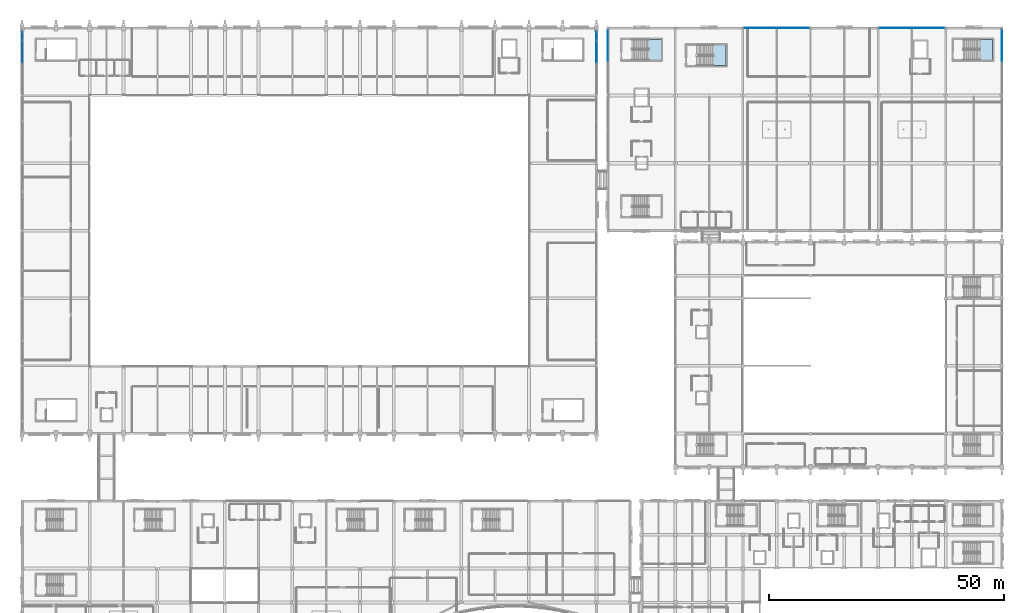
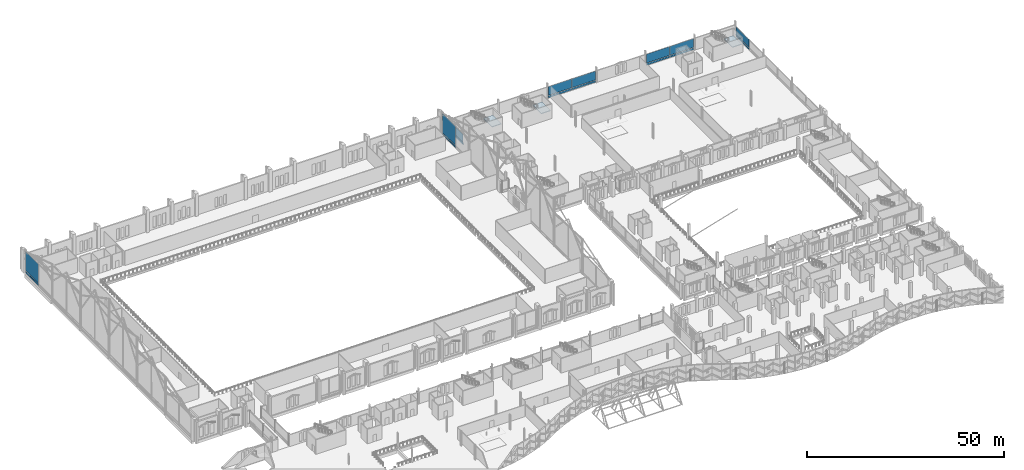
# One storey, part 134 of 220: 16 plates, 3 slabs, 9 elements without a shape of their own.
"""IFC4 building model written with IfcOpenShell, lengths in metres."""

from ifc_helpers import new_model, si_unit, direction, frame, origin, origin_2d, place, context, subcontext, project, spatial, polyline, rectangle, outline, extrude, material, layer, layer_set, type_object, element, aggregate, save


model = new_model("IFC4")

# Units and contexts
model_context = context("Model", 3, precision=1e-05, world=origin(), true_north=direction((0.0, 1.0)))
body_context = subcontext(model_context, "Body", "Model", "MODEL_VIEW")
ifc_project = project(units=[si_unit("LENGTHUNIT", "METRE"), si_unit("AREAUNIT", "SQUARE_METRE"), si_unit("VOLUMEUNIT", "CUBIC_METRE"), si_unit("PLANEANGLEUNIT", "RADIAN"), si_unit("MASSUNIT", "GRAM", prefix="KILO")], contexts=[model_context])

# Site, building, storey
site_placement = place(None, origin())
site = spatial("IfcSite", under=ifc_project, at=site_placement, CompositionType="ELEMENT")
building_placement = place(site_placement, origin())
building = spatial("IfcBuilding", under=site, at=building_placement, Name="Cendralis Lancet Convention Centre", CompositionType="ELEMENT")
storey_placement = place(building_placement, frame((0.0, 0.0, 5.39990234375)))
storey = spatial("IfcBuildingStorey", under=building, at=storey_placement, Name="L01", CompositionType="ELEMENT", Elevation=5.39990234375)

# Curtain wall, plate
ifc_material_1 = material(Name="Anodised bronze architectural aluminium", Category="aluminium")
curtain_wall_type_1 = type_object("IfcCurtainWallType", Name="ARC-CW-GB02", PredefinedType="USERDEFINED", material=ifc_material_1)
curtain_wall_1_placement = place(storey_placement, origin())
curtain_wall_1 = element("IfcCurtainWall", 1, at=curtain_wall_1_placement, inside=storey, type_object=curtain_wall_type_1, Name="L01 Curtain Wall CW-GB2 #104", ObjectType="CURTAIN WALL", PredefinedType="USERDEFINED")
ifc_material_2 = material(Name="Double-glazed low-E solar-control glass", Category="glass")
ifc_layer_1 = layer(ifc_material_2, 0.035888671875, Name="Double-glazed low-E solar-control glass")
ifc_layer_set_1 = layer_set([ifc_layer_1], Name="Double-glazed low-E solar-control glass")
plate_type_1 = type_object("IfcPlateType", Name="ARC-PL-GL02", PredefinedType="CURTAIN_PANEL", material=ifc_layer_set_1)
plate_1_placement = place(storey_placement, frame((0.0, 132.694580078125, 0.830078125), z_axis=(0.0, 0.0, 1.0), x_axis=(0.0, 1.0, 0.0)))
plate_1 = element("IfcPlate", 2, at=plate_1_placement, type_object=plate_type_1, Name="Vision Glass Panel CW2-CW-GB2-L01-104-PG1", PredefinedType="CURTAIN_PANEL", context=body_context, shape_type="SweptSolid", body=[
    extrude(rectangle(XDim=6.531005859375, YDim=0.035888671875, at=origin_2d()), origin(), (0.0, 0.0, 1.0), 5.93994140625),
])

curtain_wall_2_placement = place(storey_placement, origin())
curtain_wall_2 = element("IfcCurtainWall", 3, at=curtain_wall_2_placement, inside=storey, type_object=curtain_wall_type_1, Name="L01 Curtain Wall CW-GB2 #109", ObjectType="CURTAIN WALL", PredefinedType="USERDEFINED")
plate_2_placement = place(storey_placement, frame((122.39990234375, 132.694580078125, 0.830078125), z_axis=(0.0, 0.0, 1.0), x_axis=(0.0, -1.0, 0.0)))
plate_2 = element("IfcPlate", 4, at=plate_2_placement, type_object=plate_type_1, Name="Vision Glass Panel CW2-CW-GB2-L01-109-PG0", PredefinedType="CURTAIN_PANEL", context=body_context, shape_type="SweptSolid", body=[
    extrude(rectangle(XDim=6.531005859375, YDim=0.035888671875, at=origin_2d()), origin(), (0.0, 0.0, 1.0), 5.93994140625),
])

# Curtain wall, plates
curtain_wall_type_2 = type_object("IfcCurtainWallType", Name="ARC-CW-BL01", PredefinedType="USERDEFINED", material=ifc_material_1)
curtain_wall_3_placement = place(storey_placement, origin())
curtain_wall_3 = element("IfcCurtainWall", 5, at=curtain_wall_3_placement, inside=storey, type_object=curtain_wall_type_2, Name="L01 Curtain Wall CW-BL1 #148", ObjectType="CURTAIN WALL", PredefinedType="USERDEFINED")
plate_3_placement = place(storey_placement, frame((157.300048828125, 136.800048828125, 0.820068359375), z_axis=(0.0, 0.0, 1.0), x_axis=(1.0, 0.0, 0.0)))
plate_3 = element("IfcPlate", 6, at=plate_3_placement, type_object=plate_type_1, Name="Vision Glass Panel CW2-CW-BL1-L01-148-PG0", PredefinedType="CURTAIN_PANEL", context=body_context, shape_type="SweptSolid", body=[
    extrude(rectangle(XDim=6.840087890625, YDim=0.035888671875, at=origin_2d()), origin(), (0.0, 0.0, 1.0), 2.7451171875),
])
plate_4_placement = place(storey_placement, frame((164.300048828125, 136.800048828125, 0.820068359375), z_axis=(0.0, 0.0, 1.0), x_axis=(1.0, 0.0, 0.0)))
plate_4 = element("IfcPlate", 7, at=plate_4_placement, type_object=plate_type_1, Name="Vision Glass Panel CW2-CW-BL1-L01-148-PG1", PredefinedType="CURTAIN_PANEL", context=body_context, shape_type="SweptSolid", body=[
    extrude(rectangle(XDim=6.840087890625, YDim=0.035888671875, at=origin_2d()), origin(), (0.0, 0.0, 1.0), 2.7451171875),
])

curtain_wall_4_placement = place(storey_placement, origin())
curtain_wall_4 = element("IfcCurtainWall", 8, at=curtain_wall_4_placement, inside=storey, type_object=curtain_wall_type_2, Name="L01 Curtain Wall CW-BL1 #149", ObjectType="CURTAIN WALL", PredefinedType="USERDEFINED")
plate_5_placement = place(storey_placement, frame((186.10009765625, 136.800048828125, 0.820068359375), z_axis=(0.0, 0.0, 1.0), x_axis=(1.0, 0.0, 0.0)))
plate_5 = element("IfcPlate", 9, at=plate_5_placement, type_object=plate_type_1, Name="Vision Glass Panel CW2-CW-BL1-L01-149-PG0", PredefinedType="CURTAIN_PANEL", context=body_context, shape_type="SweptSolid", body=[
    extrude(rectangle(XDim=6.840087890625, YDim=0.035888671875, at=origin_2d()), origin(), (0.0, 0.0, 1.0), 2.7451171875),
])
plate_6_placement = place(storey_placement, frame((193.10009765625, 136.800048828125, 0.820068359375), z_axis=(0.0, 0.0, 1.0), x_axis=(1.0, 0.0, 0.0)))
plate_6 = element("IfcPlate", 10, at=plate_6_placement, type_object=plate_type_1, Name="Vision Glass Panel CW2-CW-BL1-L01-149-PG1", PredefinedType="CURTAIN_PANEL", context=body_context, shape_type="SweptSolid", body=[
    extrude(rectangle(XDim=6.840087890625, YDim=0.035888671875, at=origin_2d()), origin(), (0.0, 0.0, 1.0), 2.7451171875),
])

# Curtain wall, plate
curtain_wall_type_3 = type_object("IfcCurtainWallType", Name="ARC-CW-BL02", PredefinedType="USERDEFINED", material=ifc_material_1)
curtain_wall_5_placement = place(storey_placement, origin())
curtain_wall_5 = element("IfcCurtainWall", 11, at=curtain_wall_5_placement, inside=storey, type_object=curtain_wall_type_3, Name="L01 Curtain Wall CW-BL2 #154", ObjectType="CURTAIN WALL", PredefinedType="USERDEFINED")
plate_7_placement = place(storey_placement, frame((208.800048828125, 133.03759765625, 0.792724609375), z_axis=(0.0, 0.0, 1.0), x_axis=(0.0, -1.0, 0.0)))
plate_7 = element("IfcPlate", 12, at=plate_7_placement, type_object=plate_type_1, Name="Vision Glass Panel CW2-CW-BL2-L01-154-PG0", PredefinedType="CURTAIN_PANEL", context=body_context, shape_type="SweptSolid", body=[
    extrude(rectangle(XDim=6.715087890625, YDim=0.035888671875, at=origin_2d()), origin(), (0.0, 0.0, 1.0), 2.42236328125),
])

curtain_wall_6_placement = place(storey_placement, origin())
curtain_wall_6 = element("IfcCurtainWall", 13, at=curtain_wall_6_placement, inside=storey, type_object=curtain_wall_type_2, Name="L01 Curtain Wall CW-BL1 #151", ObjectType="CURTAIN WALL", PredefinedType="USERDEFINED")
ifc_layer_2 = layer(ifc_material_2, 0.035888671875, Name="Double-glazed low-E solar-control glass")
ifc_layer_set_2 = layer_set([ifc_layer_2], Name="Double-glazed low-E solar-control glass")
plate_type_2 = type_object("IfcPlateType", Name="ARC-PL-GL03", PredefinedType="CURTAIN_PANEL", material=ifc_layer_set_2)
plate_8_placement = place(storey_placement, frame((124.800048828125, 133.03759765625, 0.792724609375), z_axis=(0.0, 0.0, 1.0), x_axis=(0.0, 1.0, 0.0)))
plate_8 = element("IfcPlate", 14, at=plate_8_placement, type_object=plate_type_2, Name="Vision Glass Panel CW2-CW-BL1-L01-151-PG1", PredefinedType="CURTAIN_PANEL", context=body_context, shape_type="SweptSolid", body=[
    extrude(rectangle(XDim=6.715087890625, YDim=0.035888671875, at=origin_2d()), origin(), (0.0, 0.0, 1.0), 2.42236328125),
])

# Plate
ifc_material_3 = material(Name="Insulated ceramic-fritted spandrel glass", Category="glass")
ifc_layer_3 = layer(ifc_material_3, 0.044921875, Name="Insulated ceramic-fritted spandrel glass")
ifc_layer_set_3 = layer_set([ifc_layer_3], Name="Insulated ceramic-fritted spandrel glass")
plate_type_3 = type_object("IfcPlateType", Name="ARC-PL-SP01", PredefinedType="CURTAIN_PANEL", material=ifc_layer_set_3)
plate_9_placement = place(storey_placement, frame((0.0, 132.694580078125, 0.080078125), z_axis=(0.0, 0.0, 1.0), x_axis=(0.0, 1.0, 0.0)))
plate_9 = element("IfcPlate", 15, at=plate_9_placement, type_object=plate_type_3, Name="Spandrel Panel CW2-CW-GB2-L01-104-PS1", PredefinedType="CURTAIN_PANEL", context=body_context, shape_type="SweptSolid", body=[
    extrude(rectangle(XDim=6.531005859375, YDim=0.044921875, at=origin_2d()), origin(), (0.0, 0.0, 1.0), 0.590087890625),
])

aggregate(curtain_wall_1, [plate_9, plate_1])

plate_10_placement = place(storey_placement, frame((122.39990234375, 132.694580078125, 0.080078125), z_axis=(0.0, 0.0, 1.0), x_axis=(0.0, -1.0, 0.0)))
plate_10 = element("IfcPlate", 16, at=plate_10_placement, type_object=plate_type_3, Name="Spandrel Panel CW2-CW-GB2-L01-109-PS0", PredefinedType="CURTAIN_PANEL", context=body_context, shape_type="SweptSolid", body=[
    extrude(rectangle(XDim=6.531005859375, YDim=0.044921875, at=origin_2d()), origin(), (0.0, 0.0, 1.0), 0.590087890625),
])

aggregate(curtain_wall_2, [plate_10, plate_2])

plate_11_placement = place(storey_placement, frame((157.300048828125, 136.800048828125, 0.06982421875), z_axis=(0.0, 0.0, 1.0), x_axis=(1.0, 0.0, 0.0)))
plate_11 = element("IfcPlate", 17, at=plate_11_placement, type_object=plate_type_3, Name="Spandrel Panel CW2-CW-BL1-L01-148-PS0", PredefinedType="CURTAIN_PANEL", context=body_context, shape_type="SweptSolid", body=[
    extrude(rectangle(XDim=6.840087890625, YDim=0.044921875, at=origin_2d()), origin(), (0.0, 0.0, 1.0), 0.610107421875),
])

plate_12_placement = place(storey_placement, frame((164.300048828125, 136.800048828125, 0.06982421875), z_axis=(0.0, 0.0, 1.0), x_axis=(1.0, 0.0, 0.0)))
plate_12 = element("IfcPlate", 18, at=plate_12_placement, type_object=plate_type_3, Name="Spandrel Panel CW2-CW-BL1-L01-148-PS1", PredefinedType="CURTAIN_PANEL", context=body_context, shape_type="SweptSolid", body=[
    extrude(rectangle(XDim=6.840087890625, YDim=0.044921875, at=origin_2d()), origin(), (0.0, 0.0, 1.0), 0.610107421875),
])

aggregate(curtain_wall_3, [plate_11, plate_3, plate_12, plate_4])

plate_13_placement = place(storey_placement, frame((186.10009765625, 136.800048828125, 0.06982421875), z_axis=(0.0, 0.0, 1.0), x_axis=(1.0, 0.0, 0.0)))
plate_13 = element("IfcPlate", 19, at=plate_13_placement, type_object=plate_type_3, Name="Spandrel Panel CW2-CW-BL1-L01-149-PS0", PredefinedType="CURTAIN_PANEL", context=body_context, shape_type="SweptSolid", body=[
    extrude(rectangle(XDim=6.840087890625, YDim=0.044921875, at=origin_2d()), origin(), (0.0, 0.0, 1.0), 0.610107421875),
])

plate_14_placement = place(storey_placement, frame((193.10009765625, 136.800048828125, 0.06982421875), z_axis=(0.0, 0.0, 1.0), x_axis=(1.0, 0.0, 0.0)))
plate_14 = element("IfcPlate", 20, at=plate_14_placement, type_object=plate_type_3, Name="Spandrel Panel CW2-CW-BL1-L01-149-PS1", PredefinedType="CURTAIN_PANEL", context=body_context, shape_type="SweptSolid", body=[
    extrude(rectangle(XDim=6.840087890625, YDim=0.044921875, at=origin_2d()), origin(), (0.0, 0.0, 1.0), 0.610107421875),
])

aggregate(curtain_wall_4, [plate_13, plate_5, plate_14, plate_6])

plate_15_placement = place(storey_placement, frame((124.800048828125, 133.03759765625, 0.0703125), z_axis=(0.0, 0.0, 1.0), x_axis=(0.0, 1.0, 0.0)))
plate_15 = element("IfcPlate", 21, at=plate_15_placement, type_object=plate_type_3, Name="Spandrel Panel CW2-CW-BL1-L01-151-PS1", PredefinedType="CURTAIN_PANEL", context=body_context, shape_type="SweptSolid", body=[
    extrude(rectangle(XDim=6.715087890625, YDim=0.044921875, at=origin_2d()), origin(), (0.0, 0.0, 1.0), 0.582763671875),
])

aggregate(curtain_wall_6, [plate_15, plate_8])

plate_16_placement = place(storey_placement, frame((208.800048828125, 133.03759765625, 0.0703125), z_axis=(0.0, 0.0, 1.0), x_axis=(0.0, -1.0, 0.0)))
plate_16 = element("IfcPlate", 22, at=plate_16_placement, type_object=plate_type_3, Name="Spandrel Panel CW2-CW-BL2-L01-154-PS0", PredefinedType="CURTAIN_PANEL", context=body_context, shape_type="SweptSolid", body=[
    extrude(rectangle(XDim=6.715087890625, YDim=0.044921875, at=origin_2d()), origin(), (0.0, 0.0, 1.0), 0.582763671875),
])

aggregate(curtain_wall_5, [plate_16, plate_7])

# Stair, slab
ifc_material_4 = material(Name="Concrete G35 (C35/45)", Category="concrete")
stair_type = type_object("IfcStairType", Name="ARC-ST-CORE", PredefinedType="HALF_TURN_STAIR", material=ifc_material_4)
stair_1_placement = place(storey_placement, origin())
stair_1 = element("IfcStair", 23, at=stair_1_placement, inside=storey, type_object=stair_type, Name="L01 Protected Exit Stair ST-05", PredefinedType="HALF_TURN_STAIR")
ifc_layer_4 = layer(ifc_material_4, 0.199951171875, Name="Concrete G35 (C35/45)")
ifc_layer_set_4 = layer_set([ifc_layer_4], Name="Concrete G35 (C35/45)")
slab_type = type_object("IfcSlabType", Name="STR-SL-LAND", PredefinedType="LANDING", material=ifc_layer_set_4)
slab_1_placement = place(storey_placement, frame((0.0, 0.0, 2.2001953125)))
slab_1 = element("IfcSlab", 24, at=slab_1_placement, type_object=slab_type, Name="ST-05 landing 1", PredefinedType="LANDING", context=body_context, shape_type="SweptSolid", body=[
    extrude(outline(polyline([(133.429931640625, 130.0), (136.199951171875, 130.0), (136.199951171875, 134.3798828125), (133.429931640625, 134.3798828125), (133.429931640625, 130.0)])), origin(), (0.0, 0.0, 1.0), 0.199951171875),
])
aggregate(stair_1, [slab_1])

stair_2_placement = place(storey_placement, origin())
stair_2 = element("IfcStair", 25, at=stair_2_placement, inside=storey, type_object=stair_type, Name="L01 Protected Exit Stair ST-06", PredefinedType="HALF_TURN_STAIR")
slab_2_placement = place(storey_placement, frame((0.0, 0.0, 2.2001953125)))
slab_2 = element("IfcSlab", 26, at=slab_2_placement, type_object=slab_type, Name="ST-06 landing 1", PredefinedType="LANDING", context=body_context, shape_type="SweptSolid", body=[
    extrude(outline(polyline([(204.030029296875, 130.0), (206.800048828125, 130.0), (206.800048828125, 134.3798828125), (204.030029296875, 134.3798828125), (204.030029296875, 130.0)])), origin(), (0.0, 0.0, 1.0), 0.199951171875),
])
aggregate(stair_2, [slab_2])

stair_3_placement = place(storey_placement, origin())
stair_3 = element("IfcStair", 27, at=stair_3_placement, inside=storey, type_object=stair_type, Name="L01 Protected Exit Stair ST-19", PredefinedType="HALF_TURN_STAIR")
slab_3_placement = place(storey_placement, frame((0.0, 0.0, 2.2001953125)))
slab_3 = element("IfcSlab", 28, at=slab_3_placement, type_object=slab_type, Name="ST-19 landing 1", PredefinedType="LANDING", context=body_context, shape_type="SweptSolid", body=[
    extrude(outline(polyline([(147.22998046875, 128.800048828125), (150.0, 128.800048828125), (150.0, 133.179931640625), (147.22998046875, 133.179931640625), (147.22998046875, 128.800048828125)])), origin(), (0.0, 0.0, 1.0), 0.199951171875),
])
aggregate(stair_3, [slab_3])

save(model, "model.ifc")
